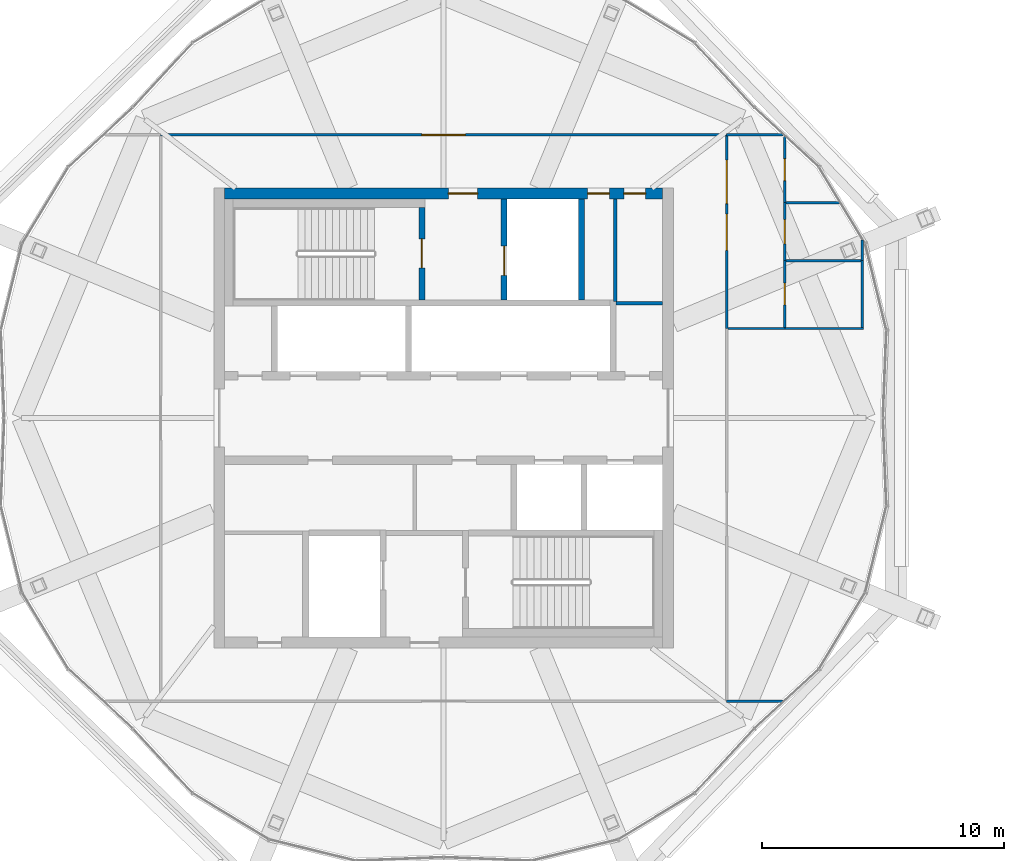
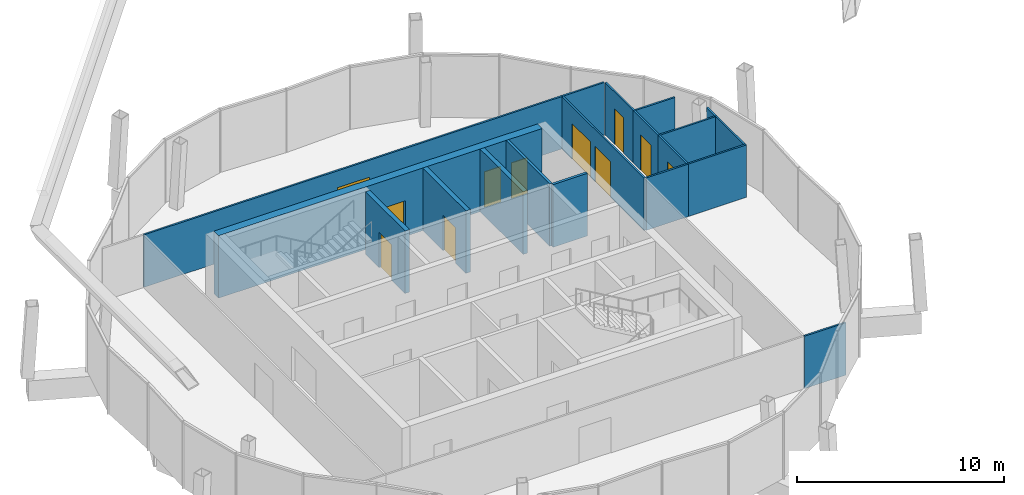
# One storey, part 29 of 34: 19 walls, 11 doors, 11 openings.
"""IFC4 building model written with IfcOpenShell, lengths in metres."""

from ifc_helpers import new_model, si_unit, direction, frame, frame_2d, origin, place, context, subcontext, project, spatial, rectangle, extrude, material, layer, layer_set, type_object, element, fill, save


model = new_model("IFC4")

# Units and contexts
model_context = context("Model", 3, precision=1e-05, world=origin(), true_north=direction((0.0, 1.0)))
body_context = subcontext(model_context, "Body", "Model", "MODEL_VIEW")
ifc_project = project(units=[si_unit("LENGTHUNIT", "METRE"), si_unit("AREAUNIT", "SQUARE_METRE"), si_unit("VOLUMEUNIT", "CUBIC_METRE"), si_unit("PLANEANGLEUNIT", "RADIAN"), si_unit("MASSUNIT", "GRAM", prefix="KILO")], contexts=[model_context])

# Site, building, storey
site_placement = place(None, origin())
site = spatial("IfcSite", under=ifc_project, at=site_placement, CompositionType="ELEMENT")
building_placement = place(site_placement, origin())
building = spatial("IfcBuilding", under=site, at=building_placement, Name="Ogive Gate Towers", CompositionType="ELEMENT")
storey_placement = place(building_placement, frame((0.0, 0.0, 294.0)))
storey = spatial("IfcBuildingStorey", under=building, at=storey_placement, Name="L69", CompositionType="ELEMENT", Elevation=294.0)

# Wall, openings, doors
ifc_material_1 = material(Name="Concrete C60/75", Category="concrete")
ifc_layer_1 = layer(ifc_material_1, 0.449951171875)
ifc_layer_set_1 = layer_set([ifc_layer_1], Name="Core wall 450 mm")
wall_type_1 = type_object("IfcWallType", Name="Core wall 450 mm", PredefinedType="SHEAR", material=ifc_layer_set_1)
wall_1_placement = place(storey_placement, frame((-45.050048828125, 9.27490234375, 0.0), z_axis=(0.0, 0.0, 1.0), x_axis=(1.0, 0.0, 0.0)))
wall_1 = element("IfcWall", 1, at=wall_1_placement, inside=storey, type_object=wall_type_1, Name="T1 L69 Core wall 450 mm", PredefinedType="SHEAR", context=body_context, shape_type="SweptSolid", body=[
    extrude(rectangle(XDim=18.10009765625, YDim=0.449951171875, at=frame_2d((9.050048828125, 0.0))), origin(), (0.0, 0.0, 1.0), 3.699951171875),
])
opening_1_placement = place(wall_1_placement, frame((9.25, 0.0, 0.0)))
opening_1 = element("IfcOpeningElement", 2, at=opening_1_placement, cuts=wall_1, Name="Opening KD-T1-L69-18", PredefinedType="OPENING", context=body_context, shape_type="SweptSolid", body=[
    extrude(rectangle(XDim=1.199951171875, YDim=2.10009765625, at=frame_2d((0.60009765625, 1.050048828125))), frame((0.0, 0.23486328125, 0.0), z_axis=(0.0, -1.0, 0.0), x_axis=(1.0, 0.0, 0.0)), (0.0, 0.0, 1.0), 0.469970703125),
])
opening_2_placement = place(wall_1_placement, frame((15.0, 0.0, 0.0)))
opening_2 = element("IfcOpeningElement", 3, at=opening_2_placement, cuts=wall_1, Name="Opening KD-T1-L69-20", PredefinedType="OPENING", context=body_context, shape_type="SweptSolid", body=[
    extrude(rectangle(XDim=0.89990234375, YDim=2.10009765625, at=frame_2d((0.449951171875, 1.050048828125))), frame((0.0, 0.23486328125, 0.0), z_axis=(0.0, -1.0, 0.0), x_axis=(1.0, 0.0, 0.0)), (0.0, 0.0, 1.0), 0.469970703125),
])
opening_3_placement = place(wall_1_placement, frame((16.5, 0.0, 0.0)))
opening_3 = element("IfcOpeningElement", 4, at=opening_3_placement, cuts=wall_1, Name="Opening KD-T1-L69-21", PredefinedType="OPENING", context=body_context, shape_type="SweptSolid", body=[
    extrude(rectangle(XDim=0.89990234375, YDim=2.10009765625, at=frame_2d((0.449951171875, 1.050048828125))), frame((0.0, 0.23486328125, 0.0), z_axis=(0.0, -1.0, 0.0), x_axis=(1.0, 0.0, 0.0)), (0.0, 0.0, 1.0), 0.469970703125),
])
ifc_material_2 = material(Name="Timber door", Category="wood")
door_type_1 = type_object("IfcDoorType", Name="Core WC door 900 x 2100", OperationType="NOTDEFINED", PredefinedType="DOOR", material=ifc_material_2)
door_1_placement = place(opening_2_placement, origin())
door_1 = element("IfcDoor", 5, at=door_1_placement, inside=storey, type_object=door_type_1, Name="T1 L69 Core door", OperationType="SINGLE_SWING_LEFT", OverallHeight=2.10009765625, OverallWidth=0.89990234375, PredefinedType="DOOR", context=body_context, shape_type="SweptSolid", body=[
    extrude(rectangle(XDim=0.89990234375, YDim=2.10009765625, at=frame_2d((0.449951171875, 1.050048828125))), frame((0.0, 0.02490234375, 0.0), z_axis=(0.0, -1.0, 0.0), x_axis=(1.0, 0.0, 0.0)), (0.0, 0.0, 1.0), 0.050048828125),
])
fill(opening_2, door_1)
door_2_placement = place(opening_3_placement, origin())
door_2 = element("IfcDoor", 6, at=door_2_placement, inside=storey, type_object=door_type_1, Name="T1 L69 Core door", OperationType="SINGLE_SWING_RIGHT", OverallHeight=2.10009765625, OverallWidth=0.89990234375, PredefinedType="DOOR", context=body_context, shape_type="SweptSolid", body=[
    extrude(rectangle(XDim=0.89990234375, YDim=2.10009765625, at=frame_2d((0.449951171875, 1.050048828125))), frame((0.0, 0.02490234375, 0.0), z_axis=(0.0, -1.0, 0.0), x_axis=(1.0, 0.0, 0.0)), (0.0, 0.0, 1.0), 0.050048828125),
])
fill(opening_3, door_2)
ifc_material_3 = material(Name="Steel fire door", Category="steel")
door_type_2 = type_object("IfcDoorType", Name="Core door FD60S 1200 x 2100", OperationType="NOTDEFINED", PredefinedType="DOOR", material=ifc_material_3)
door_3_placement = place(opening_1_placement, origin())
door_3 = element("IfcDoor", 7, at=door_3_placement, inside=storey, type_object=door_type_2, Name="T1 L69 Fire-fighting lobby door", OperationType="SINGLE_SWING_LEFT", OverallHeight=2.10009765625, OverallWidth=1.199951171875, PredefinedType="DOOR", context=body_context, shape_type="SweptSolid", body=[
    extrude(rectangle(XDim=1.199951171875, YDim=2.10009765625, at=frame_2d((0.60009765625, 1.050048828125))), frame((0.0, 0.02490234375, 0.0), z_axis=(0.0, -1.0, 0.0), x_axis=(1.0, 0.0, 0.0)), (0.0, 0.0, 1.0), 0.050048828125),
])
fill(opening_1, door_3)

# Wall, opening, door
ifc_material_4 = material(Name="Gypsum board partition")
ifc_layer_2 = layer(ifc_material_4, 0.10009765625)
ifc_layer_set_2 = layer_set([ifc_layer_2], Name="Partition wall 100")
wall_type_2 = type_object("IfcWallType", Name="Partition wall 100", PredefinedType="PARTITIONING", material=ifc_layer_set_2)
wall_2_placement = place(storey_placement, frame((-21.89990234375, 3.75, 0.0), z_axis=(0.0, 0.0, 1.0), x_axis=(0.0, 1.0, 0.0)))
wall_2 = element("IfcWall", 8, at=wall_2_placement, inside=storey, type_object=wall_type_2, Name="L69 partition 001", PredefinedType="PARTITIONING", context=body_context, shape_type="SweptSolid", body=[
    extrude(rectangle(XDim=2.75, YDim=0.10009765625, at=frame_2d((1.375, 0.0))), origin(), (0.0, 0.0, 1.0), 3.10009765625),
])
opening_4_placement = place(wall_2_placement, frame((0.925048828125, 0.0, 0.0)))
opening_4 = element("IfcOpeningElement", 9, at=opening_4_placement, cuts=wall_2, Name="Opening PO297", PredefinedType="OPENING", context=body_context, shape_type="SweptSolid", body=[
    extrude(rectangle(XDim=0.89990234375, YDim=2.10009765625, at=frame_2d((0.449951171875, 1.050048828125))), frame((0.0, 0.06005859375, 0.0), z_axis=(0.0, -1.0, 0.0), x_axis=(1.0, 0.0, 0.0)), (0.0, 0.0, 1.0), 0.1201171875),
])
door_type_3 = type_object("IfcDoorType", Name="Door 900 x 2100", OperationType="NOTDEFINED", PredefinedType="DOOR", material=ifc_material_2)
door_4_placement = place(opening_4_placement, origin())
door_4 = element("IfcDoor", 10, at=door_4_placement, inside=storey, type_object=door_type_3, Name="Door PO297", OperationType="SINGLE_SWING_LEFT", OverallHeight=2.10009765625, OverallWidth=0.89990234375, PredefinedType="DOOR", context=body_context, shape_type="SweptSolid", body=[
    extrude(rectangle(XDim=0.89990234375, YDim=2.10009765625, at=frame_2d((0.449951171875, 1.050048828125))), frame((0.0, 0.02490234375, 0.0), z_axis=(0.0, -1.0, 0.0), x_axis=(1.0, 0.0, 0.0)), (0.0, 0.0, 1.0), 0.050048828125),
])
fill(opening_4, door_4)

wall_3_placement = place(storey_placement, frame((-21.89990234375, 6.5, 0.0), z_axis=(0.0, 0.0, 1.0), x_axis=(0.0, 1.0, 0.0)))
wall_3 = element("IfcWall", 11, at=wall_3_placement, inside=storey, type_object=wall_type_2, Name="L69 partition 002", PredefinedType="PARTITIONING", context=body_context, shape_type="SweptSolid", body=[
    extrude(rectangle(XDim=2.39990234375, YDim=0.10009765625, at=frame_2d((1.199951171875, 0.0))), origin(), (0.0, 0.0, 1.0), 3.10009765625),
])
opening_5_placement = place(wall_3_placement, frame((0.699951171875, 0.0, 0.0)))
opening_5 = element("IfcOpeningElement", 12, at=opening_5_placement, cuts=wall_3, Name="Opening PO298", PredefinedType="OPENING", context=body_context, shape_type="SweptSolid", body=[
    extrude(rectangle(XDim=1.0, YDim=2.10009765625, at=frame_2d((0.5, 1.050048828125))), frame((0.0, 0.06005859375, 0.0), z_axis=(0.0, -1.0, 0.0), x_axis=(1.0, 0.0, 0.0)), (0.0, 0.0, 1.0), 0.1201171875),
])
door_type_4 = type_object("IfcDoorType", Name="Door 1000 x 2100", OperationType="NOTDEFINED", PredefinedType="DOOR", material=ifc_material_2)
door_5_placement = place(opening_5_placement, origin())
door_5 = element("IfcDoor", 13, at=door_5_placement, inside=storey, type_object=door_type_4, Name="Door PO298", OperationType="SINGLE_SWING_RIGHT", OverallHeight=2.10009765625, OverallWidth=1.0, PredefinedType="DOOR", context=body_context, shape_type="SweptSolid", body=[
    extrude(rectangle(XDim=1.0, YDim=2.10009765625, at=frame_2d((0.5, 1.050048828125))), frame((0.0, 0.02490234375, 0.0), z_axis=(0.0, -1.0, 0.0), x_axis=(1.0, 0.0, 0.0)), (0.0, 0.0, 1.0), 0.050048828125),
])
fill(opening_5, door_5)

wall_4_placement = place(storey_placement, frame((-21.89990234375, 8.89990234375, 0.0), z_axis=(0.0, 0.0, 1.0), x_axis=(0.0, 1.0, 0.0)))
wall_4 = element("IfcWall", 14, at=wall_4_placement, inside=storey, type_object=wall_type_2, Name="L69 partition 003", PredefinedType="PARTITIONING", context=body_context, shape_type="SweptSolid", body=[
    extrude(rectangle(XDim=2.730712890625, YDim=0.10009765625, at=frame_2d((1.365234375, 0.0))), origin(), (0.0, 0.0, 1.0), 3.10009765625),
])
opening_6_placement = place(wall_4_placement, frame((0.915283203125, 0.0, 0.0)))
opening_6 = element("IfcOpeningElement", 15, at=opening_6_placement, cuts=wall_4, Name="Opening PO299", PredefinedType="OPENING", context=body_context, shape_type="SweptSolid", body=[
    extrude(rectangle(XDim=0.89990234375, YDim=2.10009765625, at=frame_2d((0.449951171875, 1.050048828125))), frame((0.0, 0.06005859375, 0.0), z_axis=(0.0, -1.0, 0.0), x_axis=(1.0, 0.0, 0.0)), (0.0, 0.0, 1.0), 0.1201171875),
])
door_6_placement = place(opening_6_placement, origin())
door_6 = element("IfcDoor", 16, at=door_6_placement, inside=storey, type_object=door_type_3, Name="Door PO299", OperationType="SINGLE_SWING_LEFT", OverallHeight=2.10009765625, OverallWidth=0.89990234375, PredefinedType="DOOR", context=body_context, shape_type="SweptSolid", body=[
    extrude(rectangle(XDim=0.89990234375, YDim=2.10009765625, at=frame_2d((0.449951171875, 1.050048828125))), frame((0.0, 0.02490234375, 0.0), z_axis=(0.0, -1.0, 0.0), x_axis=(1.0, 0.0, 0.0)), (0.0, 0.0, 1.0), 0.050048828125),
])
fill(opening_6, door_6)

# Walls
wall_5_placement = place(storey_placement, frame((-24.300048828125, 11.699951171875, 0.0), z_axis=(0.0, 0.0, 1.0), x_axis=(1.0, 0.0, 0.0)))
element("IfcWall", 17, at=wall_5_placement, inside=storey, type_object=wall_type_2, Name="L69 partition 004", PredefinedType="PARTITIONING", context=body_context, shape_type="SweptSolid", body=[
    extrude(rectangle(XDim=2.324951171875, YDim=0.10009765625, at=frame_2d((1.16259765625, 0.0))), origin(), (0.0, 0.0, 1.0), 3.10009765625),
])
wall_6_placement = place(storey_placement, frame((-24.25, 3.699951171875, 0.0), z_axis=(0.0, 0.0, 1.0), x_axis=(1.0, 0.0, 0.0)))
element("IfcWall", 18, at=wall_6_placement, inside=storey, type_object=wall_type_2, Name="L69 partition 005", PredefinedType="PARTITIONING", context=body_context, shape_type="SweptSolid", body=[
    extrude(rectangle(XDim=2.35009765625, YDim=0.10009765625, at=frame_2d((1.175048828125, 0.0))), origin(), (0.0, 0.0, 1.0), 3.10009765625),
])

# Wall, openings, doors
wall_7_placement = place(storey_placement, frame((-24.300048828125, 3.699951171875, 0.0), z_axis=(0.0, 0.0, 1.0), x_axis=(0.0, 1.0, 0.0)))
wall_7 = element("IfcWall", 19, at=wall_7_placement, inside=storey, type_object=wall_type_2, Name="L69 partition 006", PredefinedType="PARTITIONING", context=body_context, shape_type="SweptSolid", body=[
    extrude(rectangle(XDim=7.949951171875, YDim=0.10009765625, at=frame_2d((3.97509765625, 0.0))), origin(), (0.0, 0.0, 1.0), 3.10009765625),
])
opening_7_placement = place(wall_7_placement, frame((3.22509765625, 0.0, 0.0)))
opening_7 = element("IfcOpeningElement", 20, at=opening_7_placement, cuts=wall_7, Name="Opening PO296", PredefinedType="OPENING", context=body_context, shape_type="SweptSolid", body=[
    extrude(rectangle(XDim=1.5, YDim=2.10009765625, at=frame_2d((0.75, 1.050048828125))), frame((0.0, 0.06005859375, 0.0), z_axis=(0.0, -1.0, 0.0), x_axis=(1.0, 0.0, 0.0)), (0.0, 0.0, 1.0), 0.1201171875),
])
opening_8_placement = place(wall_7_placement, frame((5.15625, 0.0, 0.0)))
opening_8 = element("IfcOpeningElement", 21, at=opening_8_placement, cuts=wall_7, Name="Opening PO304", PredefinedType="OPENING", context=body_context, shape_type="SweptSolid", body=[
    extrude(rectangle(XDim=1.800048828125, YDim=2.10009765625, at=frame_2d((0.89990234375, 1.050048828125))), frame((0.0, 0.06005859375, 0.0), z_axis=(0.0, -1.0, 0.0), x_axis=(1.0, 0.0, 0.0)), (0.0, 0.0, 1.0), 0.1201171875),
])
door_type_5 = type_object("IfcDoorType", Name="Double door 1500 x 2100", OperationType="NOTDEFINED", PredefinedType="DOOR", material=ifc_material_2)
door_7_placement = place(opening_7_placement, origin())
door_7 = element("IfcDoor", 22, at=door_7_placement, inside=storey, type_object=door_type_5, Name="Door PO296", OperationType="DOUBLE_DOOR_DOUBLE_SWING", OverallHeight=2.10009765625, OverallWidth=1.5, PredefinedType="DOOR", context=body_context, shape_type="SweptSolid", body=[
    extrude(rectangle(XDim=1.5, YDim=2.10009765625, at=frame_2d((0.75, 1.050048828125))), frame((0.0, 0.02490234375, 0.0), z_axis=(0.0, -1.0, 0.0), x_axis=(1.0, 0.0, 0.0)), (0.0, 0.0, 1.0), 0.050048828125),
])
fill(opening_7, door_7)
door_type_6 = type_object("IfcDoorType", Name="Double door 1800 x 2100", OperationType="NOTDEFINED", PredefinedType="DOOR", material=ifc_material_2)
door_8_placement = place(opening_8_placement, origin())
door_8 = element("IfcDoor", 23, at=door_8_placement, inside=storey, type_object=door_type_6, Name="Door PO304", OperationType="DOUBLE_DOOR_DOUBLE_SWING", OverallHeight=2.10009765625, OverallWidth=1.800048828125, PredefinedType="DOOR", context=body_context, shape_type="SweptSolid", body=[
    extrude(rectangle(XDim=1.800048828125, YDim=2.10009765625, at=frame_2d((0.89990234375, 1.050048828125))), frame((0.0, 0.02490234375, 0.0), z_axis=(0.0, -1.0, 0.0), x_axis=(1.0, 0.0, 0.0)), (0.0, 0.0, 1.0), 0.050048828125),
])
fill(opening_8, door_8)

# Walls
wall_8_placement = place(storey_placement, frame((-21.85009765625, 6.5, 0.0), z_axis=(0.0, 0.0, 1.0), x_axis=(1.0, 0.0, 0.0)))
element("IfcWall", 24, at=wall_8_placement, inside=storey, type_object=wall_type_2, Name="L69 partition 007", PredefinedType="PARTITIONING", context=body_context, shape_type="SweptSolid", body=[
    extrude(rectangle(XDim=3.10009765625, YDim=0.10009765625, at=frame_2d((1.550048828125, 0.0))), origin(), (0.0, 0.0, 1.0), 3.10009765625),
])
wall_9_placement = place(storey_placement, frame((-21.89990234375, 3.699951171875, 0.0), z_axis=(0.0, 0.0, 1.0), x_axis=(1.0, 0.0, 0.0)))
element("IfcWall", 25, at=wall_9_placement, inside=storey, type_object=wall_type_2, Name="L69 partition 008", PredefinedType="PARTITIONING", context=body_context, shape_type="SweptSolid", body=[
    extrude(rectangle(XDim=3.25, YDim=0.10009765625, at=frame_2d((1.625, 0.0))), origin(), (0.0, 0.0, 1.0), 3.10009765625),
])
wall_10_placement = place(storey_placement, frame((-18.699951171875, 3.75, 0.0), z_axis=(0.0, 0.0, 1.0), x_axis=(0.0, 1.0, 0.0)))
element("IfcWall", 26, at=wall_10_placement, inside=storey, type_object=wall_type_2, Name="L69 partition 009", PredefinedType="PARTITIONING", context=body_context, shape_type="SweptSolid", body=[
    extrude(rectangle(XDim=2.75, YDim=0.10009765625, at=frame_2d((1.375, 0.0))), origin(), (0.0, 0.0, 1.0), 3.10009765625),
])
wall_11_placement = place(storey_placement, frame((-21.85009765625, 8.89990234375, 0.0), z_axis=(0.0, 0.0, 1.0), x_axis=(1.0, 0.0, 0.0)))
element("IfcWall", 27, at=wall_11_placement, inside=storey, type_object=wall_type_2, Name="L69 partition 010", PredefinedType="PARTITIONING", context=body_context, shape_type="SweptSolid", body=[
    extrude(rectangle(XDim=2.21435546875, YDim=0.10009765625, at=frame_2d((1.107177734375, 0.0))), origin(), (0.0, 0.0, 1.0), 3.10009765625),
])
wall_12_placement = place(storey_placement, frame((-18.699951171875, 6.5, 0.0), z_axis=(0.0, 0.0, 1.0), x_axis=(0.0, 1.0, 0.0)))
element("IfcWall", 28, at=wall_12_placement, inside=storey, type_object=wall_type_2, Name="L69 partition 011", PredefinedType="PARTITIONING", context=body_context, shape_type="SweptSolid", body=[
    extrude(rectangle(XDim=0.857421875, YDim=0.10009765625, at=frame_2d((0.4287109375, 0.0))), origin(), (0.0, 0.0, 1.0), 3.10009765625),
])

# Wall, opening, door
wall_13_placement = place(storey_placement, frame((-47.699951171875, 11.699951171875, 0.0), z_axis=(0.0, 0.0, 1.0), x_axis=(1.0, 0.0, 0.0)))
wall_13 = element("IfcWall", 29, at=wall_13_placement, inside=storey, type_object=wall_type_2, Name="L69 partition 013", PredefinedType="PARTITIONING", context=body_context, shape_type="SweptSolid", body=[
    extrude(rectangle(XDim=23.39990234375, YDim=0.10009765625, at=frame_2d((11.699951171875, 0.0))), origin(), (0.0, 0.0, 1.0), 3.10009765625),
])
opening_9_placement = place(wall_13_placement, frame((10.800048828125, 0.0, 0.0)))
opening_9 = element("IfcOpeningElement", 30, at=opening_9_placement, cuts=wall_13, Name="Opening PO300", PredefinedType="OPENING", context=body_context, shape_type="SweptSolid", body=[
    extrude(rectangle(XDim=1.800048828125, YDim=2.10009765625, at=frame_2d((0.89990234375, 1.050048828125))), frame((0.0, 0.06005859375, 0.0), z_axis=(0.0, -1.0, 0.0), x_axis=(1.0, 0.0, 0.0)), (0.0, 0.0, 1.0), 0.1201171875),
])
door_9_placement = place(opening_9_placement, origin())
door_9 = element("IfcDoor", 31, at=door_9_placement, inside=storey, type_object=door_type_6, Name="Door PO300", OperationType="DOUBLE_DOOR_DOUBLE_SWING", OverallHeight=2.10009765625, OverallWidth=1.800048828125, PredefinedType="DOOR", context=body_context, shape_type="SweptSolid", body=[
    extrude(rectangle(XDim=1.800048828125, YDim=2.10009765625, at=frame_2d((0.89990234375, 1.050048828125))), frame((0.0, 0.02490234375, 0.0), z_axis=(0.0, -1.0, 0.0), x_axis=(1.0, 0.0, 0.0)), (0.0, 0.0, 1.0), 0.050048828125),
])
fill(opening_9, door_9)

# Walls
wall_14_placement = place(storey_placement, frame((-24.300048828125, -11.699951171875, 0.0), z_axis=(0.0, 0.0, 1.0), x_axis=(1.0, 0.0, 0.0)))
element("IfcWall", 32, at=wall_14_placement, inside=storey, type_object=wall_type_2, Name="L69 partition 015", PredefinedType="PARTITIONING", context=body_context, shape_type="SweptSolid", body=[
    extrude(rectangle(XDim=2.324951171875, YDim=0.10009765625, at=frame_2d((1.16259765625, 0.0))), origin(), (0.0, 0.0, 1.0), 3.10009765625),
])
ifc_layer_3 = layer(ifc_material_4, 0.14990234375)
ifc_layer_set_3 = layer_set([ifc_layer_3], Name="Room partition 150 mm")
wall_type_3 = type_object("IfcWallType", Name="Room partition 150 mm", PredefinedType="PARTITIONING", material=ifc_layer_set_3)
wall_15_placement = place(storey_placement, frame((-28.875, 4.75, 0.0), z_axis=(0.0, 0.0, 1.0), x_axis=(1.0, 0.0, 0.0)))
element("IfcWall", 33, at=wall_15_placement, inside=storey, type_object=wall_type_3, Name="T1 L69 Room partition 150 mm", PredefinedType="PARTITIONING", context=body_context, shape_type="SweptSolid", body=[
    extrude(rectangle(XDim=1.925048828125, YDim=0.14990234375, at=frame_2d((0.96240234375, 0.0))), origin(), (0.0, 0.0, 1.0), 3.699951171875),
])
wall_16_placement = place(storey_placement, frame((-28.89990234375, 4.824951171875, 0.0), z_axis=(0.0, 0.0, 1.0), x_axis=(0.0, 1.0, 0.0)))
element("IfcWall", 34, at=wall_16_placement, inside=storey, type_object=wall_type_3, Name="T1 L69 Room partition 150 mm", PredefinedType="PARTITIONING", context=body_context, shape_type="SweptSolid", body=[
    extrude(rectangle(XDim=4.22509765625, YDim=0.14990234375, at=frame_2d((2.112548828125, 0.0))), origin(), (0.0, 0.0, 1.0), 3.699951171875),
])

# Wall, opening, door
ifc_layer_4 = layer(ifc_material_1, 0.25)
ifc_layer_set_4 = layer_set([ifc_layer_4], Name="Shaft wall 250 mm")
wall_type_4 = type_object("IfcWallType", Name="Shaft wall 250 mm", PredefinedType="SHEAR", material=ifc_layer_set_4)
wall_17_placement = place(storey_placement, frame((-36.89990234375, 4.875, 0.0), z_axis=(0.0, 0.0, 1.0), x_axis=(0.0, 1.0, 0.0)))
wall_17 = element("IfcWall", 35, at=wall_17_placement, inside=storey, type_object=wall_type_4, Name="T1 L69 Shaft wall 250 mm", PredefinedType="SHEAR", context=body_context, shape_type="SweptSolid", body=[
    extrude(rectangle(XDim=3.824951171875, YDim=0.25, at=frame_2d((1.91259765625, 0.0))), origin(), (0.0, 0.0, 1.0), 3.699951171875),
])
opening_10_placement = place(wall_17_placement, frame((1.324951171875, 0.0, 0.0)))
opening_10 = element("IfcOpeningElement", 36, at=opening_10_placement, cuts=wall_17, Name="Opening KD-T1-L69-16", PredefinedType="OPENING", context=body_context, shape_type="SweptSolid", body=[
    extrude(rectangle(XDim=1.199951171875, YDim=2.10009765625, at=frame_2d((0.60009765625, 1.050048828125))), frame((0.0, 0.135009765625, 0.0), z_axis=(0.0, -1.0, 0.0), x_axis=(1.0, 0.0, 0.0)), (0.0, 0.0, 1.0), 0.27001953125),
])
door_10_placement = place(opening_10_placement, origin())
door_10 = element("IfcDoor", 37, at=door_10_placement, inside=storey, type_object=door_type_2, Name="T1 L69 Stair door", OperationType="SINGLE_SWING_LEFT", OverallHeight=2.10009765625, OverallWidth=1.199951171875, PredefinedType="DOOR", context=body_context, shape_type="SweptSolid", body=[
    extrude(rectangle(XDim=1.199951171875, YDim=2.10009765625, at=frame_2d((0.60009765625, 1.050048828125))), frame((0.0, 0.02490234375, 0.0), z_axis=(0.0, -1.0, 0.0), x_axis=(1.0, 0.0, 0.0)), (0.0, 0.0, 1.0), 0.050048828125),
])
fill(opening_10, door_10)

wall_18_placement = place(storey_placement, frame((-33.5, 4.875, 0.0), z_axis=(0.0, 0.0, 1.0), x_axis=(0.0, 1.0, 0.0)))
wall_18 = element("IfcWall", 38, at=wall_18_placement, inside=storey, type_object=wall_type_4, Name="T1 L69 Shaft wall 250 mm", PredefinedType="SHEAR", context=body_context, shape_type="SweptSolid", body=[
    extrude(rectangle(XDim=4.175048828125, YDim=0.25, at=frame_2d((2.08740234375, 0.0))), origin(), (0.0, 0.0, 1.0), 3.699951171875),
])
opening_11_placement = place(wall_18_placement, frame((1.02490234375, 0.0, 0.0)))
opening_11 = element("IfcOpeningElement", 39, at=opening_11_placement, cuts=wall_18, Name="Opening LD-T1-L69-12", PredefinedType="OPENING", context=body_context, shape_type="SweptSolid", body=[
    extrude(rectangle(XDim=1.199951171875, YDim=2.10009765625, at=frame_2d((0.60009765625, 1.050048828125))), frame((0.0, 0.135009765625, 0.0), z_axis=(0.0, -1.0, 0.0), x_axis=(1.0, 0.0, 0.0)), (0.0, 0.0, 1.0), 0.27001953125),
])
ifc_material_5 = material(Name="Stainless steel landing door", Category="steel")
door_type_7 = type_object("IfcDoorType", Name="Landing door 1200 x 2100", OperationType="SLIDING_TO_LEFT", PredefinedType="DOOR", material=ifc_material_5)
door_11_placement = place(opening_11_placement, origin())
door_11 = element("IfcDoor", 40, at=door_11_placement, inside=storey, type_object=door_type_7, Name="T1 L69 Lift landing door FF1", OperationType="SLIDING_TO_LEFT", OverallHeight=2.10009765625, OverallWidth=1.199951171875, PredefinedType="DOOR", context=body_context, shape_type="SweptSolid", body=[
    extrude(rectangle(XDim=1.199951171875, YDim=2.10009765625, at=frame_2d((0.60009765625, 1.050048828125))), frame((0.0, 0.02490234375, 0.0), z_axis=(0.0, -1.0, 0.0), x_axis=(1.0, 0.0, 0.0)), (0.0, 0.0, 1.0), 0.050048828125),
])
fill(opening_11, door_11)

# Wall
wall_19_placement = place(storey_placement, frame((-30.300048828125, 4.875, 0.0), z_axis=(0.0, 0.0, 1.0), x_axis=(0.0, 1.0, 0.0)))
element("IfcWall", 41, at=wall_19_placement, inside=storey, type_object=wall_type_4, Name="T1 L69 Shaft wall 250 mm", PredefinedType="SHEAR", context=body_context, shape_type="SweptSolid", body=[
    extrude(rectangle(XDim=4.175048828125, YDim=0.25, at=frame_2d((2.08740234375, 0.0))), origin(), (0.0, 0.0, 1.0), 3.699951171875),
])

save(model, "model.ifc")
